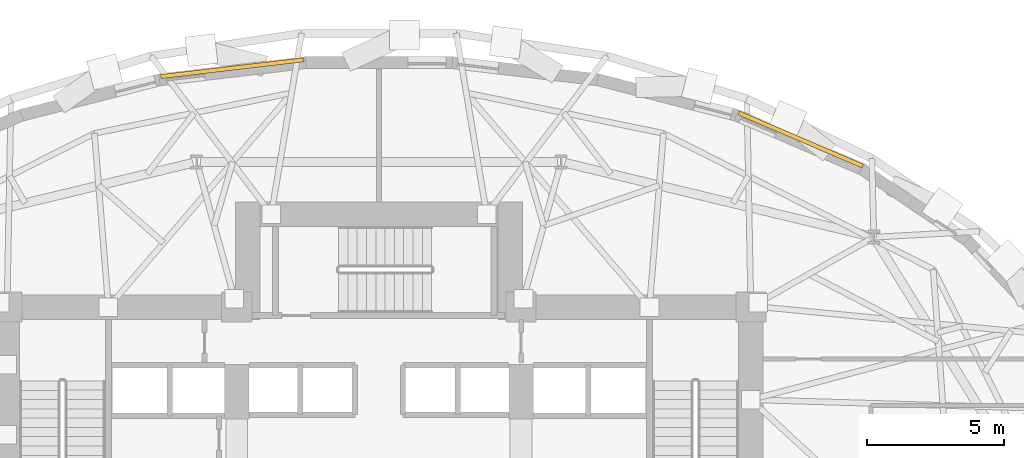
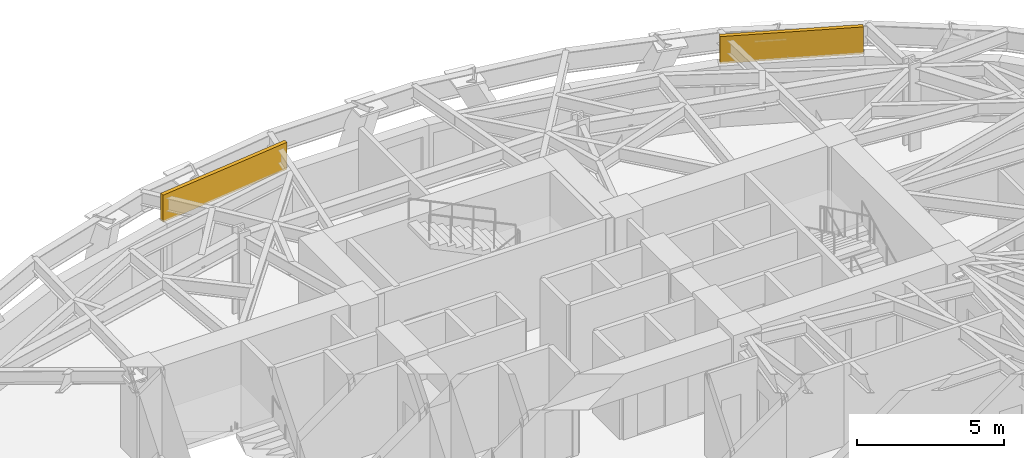
# One storey, part 14 of 14: 2 coverings.
"""IFC4 building model written with IfcOpenShell, lengths in metres."""

import ifcopenshell
import ifcopenshell.guid

model = None  # the IFC model being written
_history = None  # IfcOwnerHistory: only IFC2X3 demands one
_inside = {}  # id of a spatial element -> (the spatial element, [elements in it])
_under = {}  # id of a project, library or spatial element -> (it, [spatial elements below it])
_declared = {}  # id of a project -> (the project, [libraries it declares])
_typed = {}  # id of a type object -> (the type object, [elements of that type])
_made_of = {}  # id of a material, layer set ... -> (it, [elements and type objects made of it])


def new_model(schema):
    """Start an empty IFC model of exactly this schema.

    Asked for "IFC4X3", IfcOpenShell would pick the latest addendum, in which some entities
    have other attributes; the version numbers below select the first issue.
    IFC2X3 requires an IfcOwnerHistory on every rooted entity: one is made here for all.
    """
    global model, _history
    if schema == "IFC4X3":
        model = ifcopenshell.file(schema_version=(4, 3, 0, 0))
    else:
        model = ifcopenshell.file(schema=schema)
    _inside.clear()
    _under.clear()
    _declared.clear()
    _typed.clear()
    _made_of.clear()
    _history = None
    if model.schema == "IFC2X3":
        org = make("IfcOrganization", Name="unknown")
        user = make(
            "IfcPersonAndOrganization",
            ThePerson=make("IfcPerson", FamilyName="unknown"),
            TheOrganization=org,
        )
        app = make(
            "IfcApplication",
            ApplicationDeveloper=org,
            Version="unknown",
            ApplicationFullName="unknown",
            ApplicationIdentifier="unknown",
        )
        _history = make(
            "IfcOwnerHistory",
            OwningUser=user,
            OwningApplication=app,
            ChangeAction="ADDED",
            CreationDate=0,
        )
    return model


def make(cls, **values):
    """One entity of the class cls with the attributes given. An attribute that is None is left unset."""
    return model.create_entity(
        cls, **{name: value for name, value in values.items() if value is not None}
    )


def rooted(cls, **values):
    """An entity with a GlobalId (a new one), such as an element, a storey or a relation."""
    return make(cls, GlobalId=ifcopenshell.guid.new(), OwnerHistory=_history, **values)


def si_unit(unit_type, name, prefix=None):
    """IfcSIUnit, for example si_unit("LENGTHUNIT", "METRE", prefix="MILLI")."""
    return make("IfcSIUnit", UnitType=unit_type, Prefix=prefix, Name=name)


def assignment(units):
    """IfcUnitAssignment: the units of a project."""
    return None if units is None else make("IfcUnitAssignment", Units=units)


def point(xyz):
    """IfcCartesianPoint."""
    return None if xyz is None else make("IfcCartesianPoint", Coordinates=xyz)


def direction(xyz):
    """IfcDirection."""
    return None if xyz is None else make("IfcDirection", DirectionRatios=xyz)


def frame(location, z_axis=None, x_axis=None):
    """IfcAxis2Placement3D, a coordinate frame: its origin and axes. An axis left out is left unset."""
    return make(
        "IfcAxis2Placement3D",
        Location=point(location),
        Axis=direction(z_axis),
        RefDirection=direction(x_axis),
    )


def frame_2d(location, x_axis=None):
    """IfcAxis2Placement2D, a coordinate frame in the plane: its origin and x axis."""
    return make(
        "IfcAxis2Placement2D", Location=point(location), RefDirection=direction(x_axis)
    )


def origin():
    """The frame at (0, 0, 0) with its axes left unset."""
    return frame((0.0, 0.0, 0.0))


def origin_2d():
    """The frame at (0, 0) in the plane with its x axis left unset."""
    return frame_2d((0.0, 0.0))


def place(relative_to, where):
    """IfcLocalPlacement: puts the frame where relative to a parent placement (None: the world)."""
    return make(
        "IfcLocalPlacement", PlacementRelTo=relative_to, RelativePlacement=where
    )


def context(
    kind, dimensions, precision=None, world=None, true_north=None, identifier=None
):
    """IfcGeometricRepresentationContext, for example the 3D "Model" context."""
    return make(
        "IfcGeometricRepresentationContext",
        ContextIdentifier=identifier,
        ContextType=kind,
        CoordinateSpaceDimension=dimensions,
        Precision=precision,
        WorldCoordinateSystem=world,
        TrueNorth=true_north,
    )


def subcontext(parent, identifier, kind, view, scale=None):
    """IfcGeometricRepresentationSubContext, for example "Body" below "Model"."""
    return make(
        "IfcGeometricRepresentationSubContext",
        ContextIdentifier=identifier,
        ContextType=kind,
        ParentContext=parent,
        TargetScale=scale,
        TargetView=view,
    )


def project(units=None, contexts=None):
    """IfcProject with its units and contexts."""
    return rooted(
        "IfcProject",
        Name="project",
        RepresentationContexts=contexts,
        UnitsInContext=assignment(units),
    )


def spatial(cls, under=None, at=None, **own):
    """A site, building, storey or space (cls), placed at a placement, below another one or the project."""
    s = rooted(cls, ObjectPlacement=at, **own)
    if under is not None:
        _under.setdefault(under.id(), (under, []))[1].append(s)
    return s


def profile(cls, at=None, kind="AREA", **sizes):
    """A parametric profile (cls). Its sizes go by their IFC names, for example OverallWidth=200.0."""
    return make(cls, ProfileType=kind, Position=at, **sizes)


def rectangle(**sizes):
    """IfcRectangleProfileDef."""
    return profile("IfcRectangleProfileDef", **sizes)


def extrude(swept, where, along, depth):
    """IfcExtrudedAreaSolid: the profile swept, set in the frame where, extruded along a direction by depth."""
    return make(
        "IfcExtrudedAreaSolid",
        SweptArea=swept,
        Position=where,
        ExtrudedDirection=direction(along),
        Depth=depth,
    )


def shape(context_of_items, identifier, shape_type, items):
    """IfcShapeRepresentation: the items that make up one representation, for example the "Body"."""
    return make(
        "IfcShapeRepresentation",
        ContextOfItems=context_of_items,
        RepresentationIdentifier=identifier,
        RepresentationType=shape_type,
        Items=items,
    )


def material(Name=None, Category=None):
    """IfcMaterial."""
    return make("IfcMaterial", Name=Name, Category=Category)


def layer(
    of_material, thickness, ventilated=None, Name=None, Category=None, Priority=None
):
    """IfcMaterialLayer: one layer of a wall or slab, of a material (None: an air gap)."""
    return make(
        "IfcMaterialLayer",
        Material=of_material,
        LayerThickness=thickness,
        IsVentilated=ventilated,
        Name=Name,
        Category=Category,
        Priority=Priority,
    )


def layer_set(layers, Name=None):
    """IfcMaterialLayerSet."""
    return make("IfcMaterialLayerSet", MaterialLayers=layers, LayerSetName=Name)


def made_of(thing, what):
    """Note that an element or type object is made of a material, layer set ...; save() writes the relation."""
    if what is not None:
        _made_of.setdefault(what.id(), (what, []))[1].append(thing)
    return thing


def type_object(cls, material=None, **own):
    """A type object (cls), such as IfcWallType, which elements share."""
    return made_of(rooted(cls, **own), material)


def element(
    cls,
    number,
    at=None,
    inside=None,
    cuts=None,
    type_object=None,
    material=None,
    context=None,
    identifier="Body",
    shape_type=None,
    held_by="IfcProductDefinitionShape",
    body=None,
    shapes=None,
    **own,
):
    """One element of the class cls, such as IfcWall. Its Tag is "e" and its number.

    at: its placement. inside: the storey or other place that contains it. cuts: it is an
    opening in that element (IfcRelVoidsElement). A single representation is given by context,
    identifier, shape_type and body (its items); several are given by shapes. held_by: the class
    of the entity that holds the representations. save() writes the other relations.
    """
    e = rooted(cls, Tag="e%d" % number, ObjectPlacement=at, **own)
    if body is not None:
        shapes = [shape(context, identifier, shape_type, body)]
    if shapes is not None:
        e.Representation = make(held_by, Representations=shapes)
    if inside is not None:
        _inside.setdefault(inside.id(), (inside, []))[1].append(e)
    if cuts is not None:
        rooted(
            "IfcRelVoidsElement", RelatingBuildingElement=cuts, RelatedOpeningElement=e
        )
    if type_object is not None:
        _typed.setdefault(type_object.id(), (type_object, []))[1].append(e)
    return made_of(e, material)


def aggregate(whole, parts):
    """IfcRelAggregates: a whole, such as a stair, and the parts it consists of."""
    return rooted("IfcRelAggregates", RelatingObject=whole, RelatedObjects=parts)


def save(model, path):
    """Write the relations noted so far, then the file.

    IfcRelAggregates (storeys below a building ...), IfcRelContainedInSpatialStructure (elements
    in a storey), IfcRelDefinesByType, IfcRelAssociatesMaterial and IfcRelDeclares: one each for
    every whole, place, type object, material and project.
    """
    for whole, parts in _under.values():
        aggregate(whole, parts)
    for where, things in _inside.values():
        rooted(
            "IfcRelContainedInSpatialStructure",
            RelatedElements=things,
            RelatingStructure=where,
        )
    for kind, things in _typed.values():
        rooted("IfcRelDefinesByType", RelatedObjects=things, RelatingType=kind)
    for what, things in _made_of.values():
        rooted("IfcRelAssociatesMaterial", RelatedObjects=things, RelatingMaterial=what)
    for by, libraries in _declared.values():
        rooted("IfcRelDeclares", RelatingContext=by, RelatedDefinitions=libraries)
    model.write(path)


model = new_model("IFC4")

# Units and contexts
model_context = context("Model", 3, precision=1e-05, world=origin(), true_north=direction((0.0, 1.0)))
body_context = subcontext(model_context, "Body", "Model", "MODEL_VIEW")
ifc_project = project(units=[si_unit("LENGTHUNIT", "METRE"), si_unit("AREAUNIT", "SQUARE_METRE"), si_unit("VOLUMEUNIT", "CUBIC_METRE"), si_unit("PLANEANGLEUNIT", "RADIAN"), si_unit("MASSUNIT", "GRAM", prefix="KILO")], contexts=[model_context])

# Site, building, storey
site_placement = place(None, origin())
site = spatial("IfcSite", under=ifc_project, at=site_placement, CompositionType="ELEMENT")
building_placement = place(site_placement, origin())
building = spatial("IfcBuilding", under=site, at=building_placement, Name="Keldmark Tower", CompositionType="ELEMENT")
storey_placement = place(building_placement, frame((0.0, 0.0, 52.199951171875)))
storey = spatial("IfcBuildingStorey", under=building, at=storey_placement, Name="L13", CompositionType="ELEMENT", Elevation=52.199951171875)

# Coverings
ifc_material = material(Name="Honed Kasota Buff Dolomitic Limestone", Category="masonry")
ifc_layer = layer(ifc_material, 0.074951171875)
ifc_layer_set = layer_set([ifc_layer], Name="Honed Kasota Buff Dolomitic Limestone")
covering_type = type_object("IfcCoveringType", Name="Kasota Buff Limestone Spandrel Cladding Band", PredefinedType="CLADDING", material=ifc_layer_set)
covering_1_placement = place(storey_placement, frame((15.426513671875, 15.5791015625, 2.453125), z_axis=(0.0, 0.0, 1.0), x_axis=(-0.91888763684, 0.394519341558, 0.0)))
element("IfcCovering", 1, at=covering_1_placement, inside=storey, type_object=covering_type, Name="L13 Kasota Limestone Spandrel Band 05", PredefinedType="CLADDING", context=body_context, shape_type="SweptSolid", body=[
    extrude(rectangle(XDim=4.922119140625, YDim=0.14990234375, at=origin_2d()), origin(), (0.0, 0.0, 1.0), 1.126953125),
])
covering_2_placement = place(storey_placement, frame((-5.36474609375, 18.1875, 2.453125), z_axis=(0.0, 0.0, 1.0), x_axis=(-0.993158426362, -0.116774741047, 0.0)))
element("IfcCovering", 2, at=covering_2_placement, inside=storey, type_object=covering_type, Name="L13 Kasota Limestone Spandrel Band 09", PredefinedType="CLADDING", context=body_context, shape_type="SweptSolid", body=[
    extrude(rectangle(XDim=5.261962890625, YDim=0.14990234375, at=origin_2d()), origin(), (0.0, 0.0, 1.0), 1.126953125),
])

save(model, "model.ifc")
